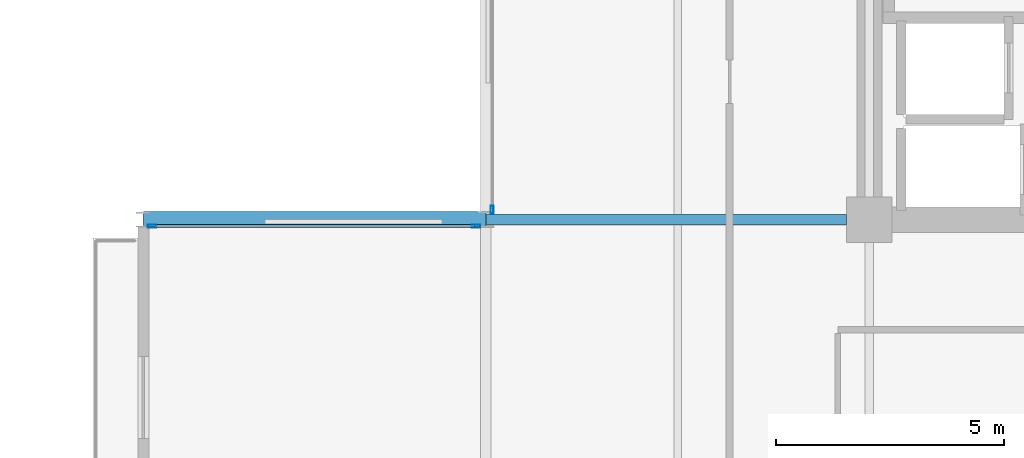
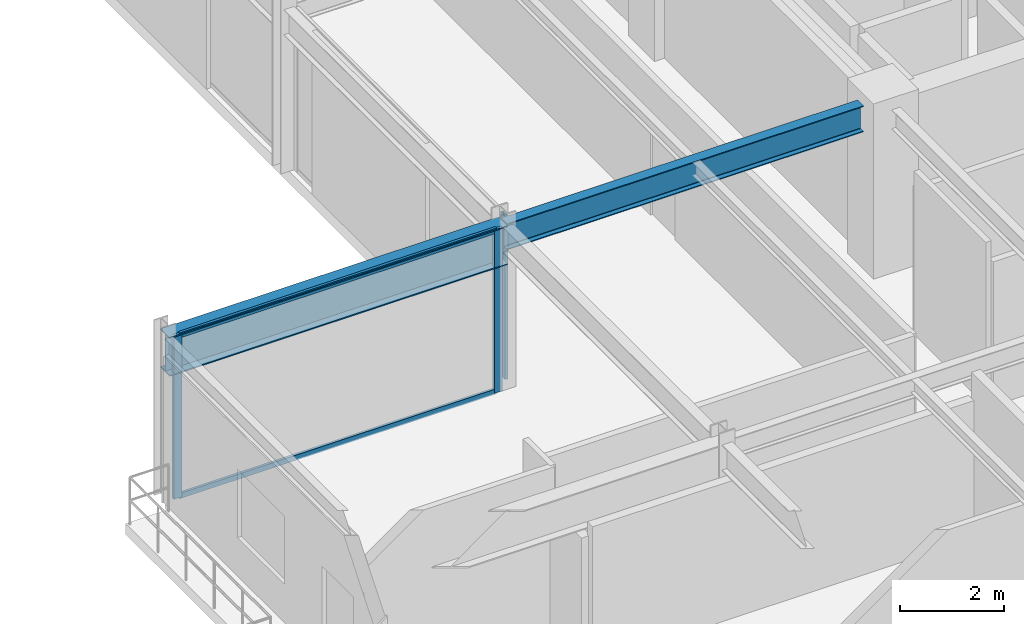
# One storey, part 9 of 29: 5 members, 2 beams, 2 elements without a shape of their own.
"""IFC4 building model written with IfcOpenShell, lengths in metres."""

from ifc_helpers import new_model, si_unit, direction, frame, origin, origin_2d, place, context, subcontext, project, spatial, hollow_rectangle, i_section, extrude, material, layer, layer_set, material_profile, profile_set, type_object, element, aggregate, save


model = new_model("IFC4")

# Units and contexts
model_context = context("Model", 3, precision=1e-05, world=origin(), true_north=direction((0.0, 1.0)))
body_context = subcontext(model_context, "Body", "Model", "MODEL_VIEW")
ifc_project = project(units=[si_unit("LENGTHUNIT", "METRE"), si_unit("AREAUNIT", "SQUARE_METRE"), si_unit("VOLUMEUNIT", "CUBIC_METRE"), si_unit("PLANEANGLEUNIT", "RADIAN"), si_unit("MASSUNIT", "GRAM", prefix="KILO")], contexts=[model_context])

# Site, building, storey
site_placement = place(None, origin())
site = spatial("IfcSite", under=ifc_project, at=site_placement, CompositionType="ELEMENT")
building_placement = place(site_placement, origin())
building = spatial("IfcBuilding", under=site, at=building_placement, Name="Nerrivon Quay Data Exchange", CompositionType="ELEMENT")
storey_placement = place(building_placement, frame((0.0, 0.0, 196.0)))
storey = spatial("IfcBuildingStorey", under=building, at=storey_placement, Name="L46", CompositionType="ELEMENT", Elevation=196.0)

# Beams
ifc_material_1 = material(Name="Steel Grade 350", Category="steel")
ifc_material_profile_1 = material_profile(ifc_material_1, i_section(OverallWidth=0.35009765625, OverallDepth=0.909912109375, WebThickness=0.011962890625, FlangeThickness=0.02490234375, at=origin_2d()), Name="900WB218")
ifc_profile_set_1 = profile_set([ifc_material_profile_1], Name="Steel Grade 350")
beam_type_1 = type_object("IfcBeamType", Name="BM-CANT-900WB", PredefinedType="USERDEFINED", material=ifc_profile_set_1)
beam_1_placement = place(storey_placement, frame((-0.010009765625, 25.199951171875, 3.3701171875), z_axis=(-1.0, 0.0, 0.0), x_axis=(0.0, -1.0, 0.0)))
element("IfcBeam", 1, at=beam_1_placement, inside=storey, type_object=beam_type_1, Name="L46 West Hooked Cantilever Girder Y=25.2", ObjectType="TRANSFER", PredefinedType="USERDEFINED", context=body_context, shape_type="SweptSolid", body=[
    extrude(i_section(OverallWidth=0.35009765625, OverallDepth=0.909912109375, WebThickness=0.011962890625, FlangeThickness=0.02490234375, at=origin_2d()), origin(), (0.0, 0.0, 1.0), 7.482177734375),
])
ifc_material_profile_2 = material_profile(ifc_material_1, i_section(OverallWidth=0.22900390625, OverallDepth=0.612060546875, WebThickness=0.011962890625, FlangeThickness=0.01953125, FilletRadius=0.013916015625, at=origin_2d()), Name="610UB125")
ifc_profile_set_2 = profile_set([ifc_material_profile_2], Name="Steel Grade 350")
beam_type_2 = type_object("IfcBeamType", Name="BM-G1-610UB125", PredefinedType="BEAM", material=ifc_profile_set_2)
beam_2_placement = place(storey_placement, frame((0.010009765625, 25.199951171875, 3.51904296875), z_axis=(1.0, 0.0, 0.0), x_axis=(0.0, 1.0, 0.0)))
element("IfcBeam", 2, at=beam_2_placement, inside=storey, type_object=beam_type_2, Name="L46 EW Girder Y=25.2 (0.0..8.4)", PredefinedType="BEAM", context=body_context, shape_type="SweptSolid", body=[
    extrude(i_section(OverallWidth=0.22900390625, OverallDepth=0.612060546875, WebThickness=0.011962890625, FlangeThickness=0.01953125, FilletRadius=0.013916015625, at=origin_2d()), origin(), (0.0, 0.0, 1.0), 7.889892578125),
])

# Curtain wall, members
ifc_material_2 = material(Name="Anodised aluminium 6063-T6", Category="aluminium")
ifc_layer_1 = layer(ifc_material_2, 0.199951171875)
ifc_layer_set_1 = layer_set([ifc_layer_1], Name="Anodised aluminium 6063-T6")
curtain_wall_type_1 = type_object("IfcCurtainWallType", Name="CW-SYS-04", PredefinedType="NOTDEFINED", material=ifc_layer_set_1)
curtain_wall_1_placement = place(storey_placement, origin())
curtain_wall_1 = element("IfcCurtainWall", 3, at=curtain_wall_1_placement, inside=storey, type_object=curtain_wall_type_1, Name="L46 Unitised Curtain Wall 3", PredefinedType="NOTDEFINED")
ifc_material_profile_3 = material_profile(ifc_material_2, hollow_rectangle(XDim=0.06494140625, YDim=0.179931640625, WallThickness=0.00341796875, at=origin_2d()), Name="ALU-MULL-180x65")
ifc_profile_set_3 = profile_set([ifc_material_profile_3], Name="Anodised aluminium 6063-T6")
member_type_1 = type_object("IfcMemberType", Name="CWM-180x65", PredefinedType="MULLION", material=ifc_profile_set_3)
member_1_placement = place(storey_placement, frame((-7.306884765625, 25.06005859375, 0.0), z_axis=(0.0, 0.0, 1.0), x_axis=(0.0, 1.0, 0.0)))
member_1 = element("IfcMember", 4, at=member_1_placement, type_object=member_type_1, Name="CW04 mullion 1", PredefinedType="MULLION", context=body_context, shape_type="SweptSolid", body=[
    extrude(hollow_rectangle(XDim=0.06494140625, YDim=0.179931640625, WallThickness=0.00341796875, at=origin_2d()), origin(), (0.0, 0.0, 1.0), 3.824951171875),
])
member_2_placement = place(storey_placement, frame((-0.21240234375, 25.06005859375, 0.0), z_axis=(0.0, 0.0, 1.0), x_axis=(0.0, 1.0, 0.0)))
member_2 = element("IfcMember", 5, at=member_2_placement, type_object=member_type_1, Name="CW04 mullion 2", PredefinedType="MULLION", context=body_context, shape_type="SweptSolid", body=[
    extrude(hollow_rectangle(XDim=0.06494140625, YDim=0.179931640625, WallThickness=0.00341796875, at=origin_2d()), origin(), (0.0, 0.0, 1.0), 3.824951171875),
])

# Curtain wall, member
ifc_layer_2 = layer(ifc_material_2, 0.195068359375)
ifc_layer_set_2 = layer_set([ifc_layer_2], Name="Anodised aluminium 6063-T6")
curtain_wall_type_2 = type_object("IfcCurtainWallType", Name="CW-SYS-06", PredefinedType="NOTDEFINED", material=ifc_layer_set_2)
curtain_wall_2_placement = place(storey_placement, origin())
curtain_wall_2 = element("IfcCurtainWall", 6, at=curtain_wall_2_placement, inside=storey, type_object=curtain_wall_type_2, Name="L46 Unitised Curtain Wall 4", PredefinedType="NOTDEFINED")
member_3_placement = place(storey_placement, frame((0.139892578125, 25.41259765625, 0.0), z_axis=(0.0, 0.0, 1.0), x_axis=(-1.0, 0.0, 0.0)))
member_3 = element("IfcMember", 7, at=member_3_placement, type_object=member_type_1, Name="CW06 mullion 1", PredefinedType="MULLION", context=body_context, shape_type="SweptSolid", body=[
    extrude(hollow_rectangle(XDim=0.06494140625, YDim=0.179931640625, WallThickness=0.00341796875, at=origin_2d()), origin(), (0.0, 0.0, 1.0), 3.824951171875),
])
aggregate(curtain_wall_2, [member_3])

# Member
ifc_material_profile_4 = material_profile(ifc_material_2, hollow_rectangle(XDim=0.06005859375, YDim=0.1201171875, WallThickness=0.003173828125, at=origin_2d()), Name="ALU-TRAN-120x60")
ifc_profile_set_4 = profile_set([ifc_material_profile_4], Name="Anodised aluminium 6063-T6")
member_type_2 = type_object("IfcMemberType", Name="CWT-120x60", PredefinedType="USERDEFINED", material=ifc_profile_set_4)
member_4_placement = place(storey_placement, frame((-7.26953125, 25.06005859375, 0.032470703125), z_axis=(1.0, 0.0, 0.0), x_axis=(0.0, 1.0, 0.0)))
member_4 = element("IfcMember", 8, at=member_4_placement, type_object=member_type_2, Name="CW04 transom 1.1", ObjectType="TRANSOM", PredefinedType="USERDEFINED", context=body_context, shape_type="SweptSolid", body=[
    extrude(hollow_rectangle(XDim=0.06005859375, YDim=0.1201171875, WallThickness=0.003173828125, at=origin_2d()), origin(), (0.0, 0.0, 1.0), 7.01953125),
])

member_5_placement = place(storey_placement, frame((-7.26953125, 25.06005859375, 3.79248046875), z_axis=(1.0, 0.0, 0.0), x_axis=(0.0, 1.0, 0.0)))
member_5 = element("IfcMember", 9, at=member_5_placement, type_object=member_type_2, Name="CW04 transom 1.2", ObjectType="TRANSOM", PredefinedType="USERDEFINED", context=body_context, shape_type="SweptSolid", body=[
    extrude(hollow_rectangle(XDim=0.06005859375, YDim=0.1201171875, WallThickness=0.003173828125, at=origin_2d()), origin(), (0.0, 0.0, 1.0), 7.01953125),
])

aggregate(curtain_wall_1, [member_1, member_2, member_4, member_5])

save(model, "model.ifc")
